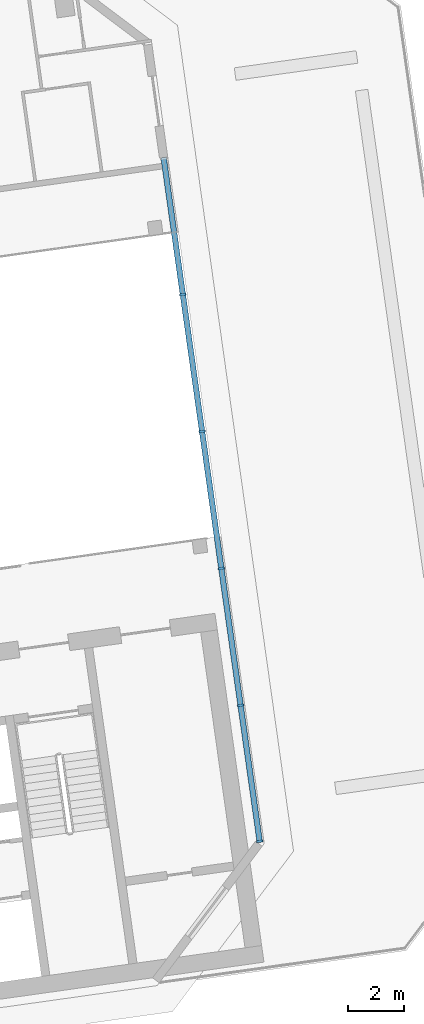
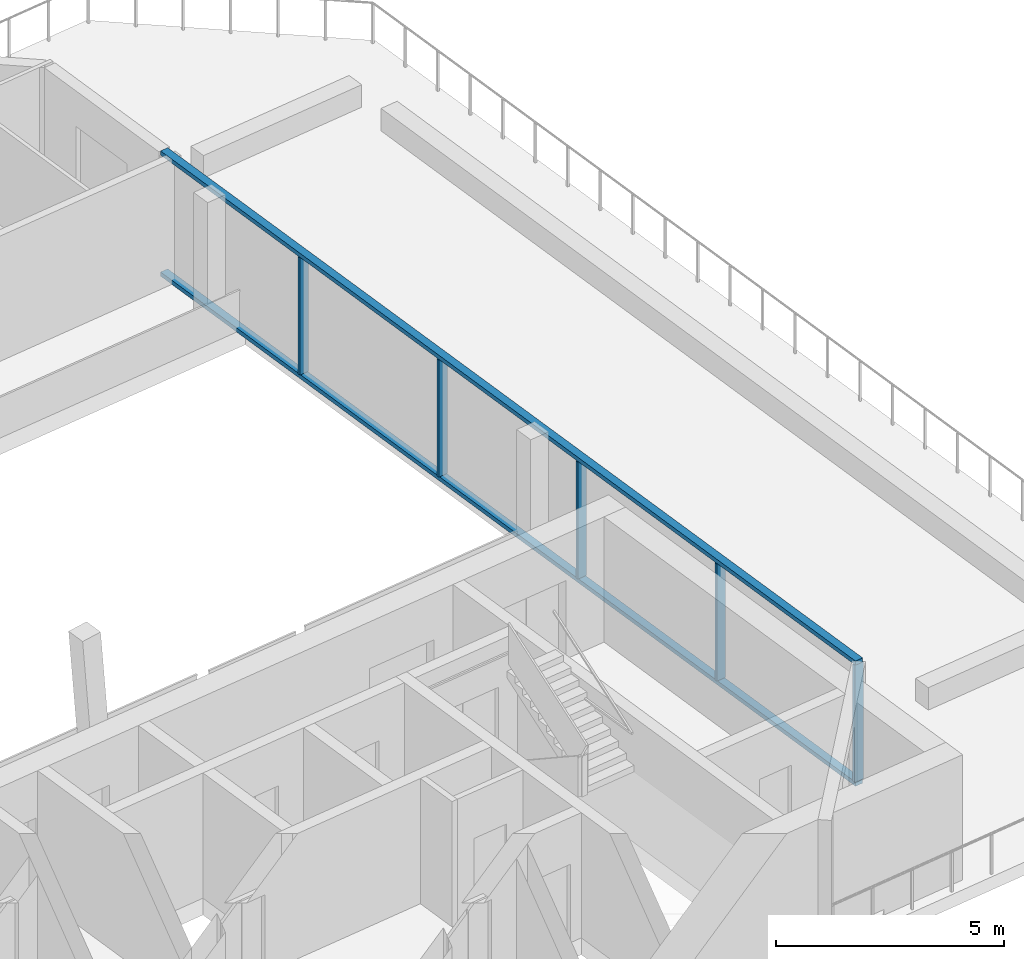
# One storey, part 6 of 17: 7 members, 1 element without a shape of its own.
"""IFC4 building model written with IfcOpenShell, lengths in metres."""

from ifc_helpers import new_model, si_unit, direction, frame, origin, origin_2d, place, context, subcontext, project, spatial, rectangle, extrude, material, material_profile, profile_set, type_object, element, aggregate, save


model = new_model("IFC4")

# Units and contexts
model_context = context("Model", 3, precision=1e-05, world=origin(), true_north=direction((0.0, 1.0)))
body_context = subcontext(model_context, "Body", "Model", "MODEL_VIEW")
ifc_project = project(units=[si_unit("LENGTHUNIT", "METRE"), si_unit("AREAUNIT", "SQUARE_METRE"), si_unit("VOLUMEUNIT", "CUBIC_METRE"), si_unit("PLANEANGLEUNIT", "RADIAN"), si_unit("MASSUNIT", "GRAM", prefix="KILO")], contexts=[model_context])

# Site, building, storey
site_placement = place(None, origin())
site = spatial("IfcSite", under=ifc_project, at=site_placement, CompositionType="ELEMENT")
building_placement = place(site_placement, origin())
building = spatial("IfcBuilding", under=site, at=building_placement, Name="Mirante Cascada Hotel Towers", CompositionType="ELEMENT")
storey_placement = place(building_placement, frame((0.0, 0.0, 250.8)))
storey = spatial("IfcBuildingStorey", under=building, at=storey_placement, Name="L60", CompositionType="ELEMENT", Elevation=250.8)

# Curtain wall, members
ifc_material_1 = material(Name="Aluminium mullion and transom frame with clear laminated glass", Category="aluminium")
curtain_wall_type = type_object("IfcCurtainWallType", Name="Sky garden curtain wall ECW4", PredefinedType="NOTDEFINED", material=ifc_material_1)
curtain_wall_placement = place(storey_placement, origin())
curtain_wall = element("IfcCurtainWall", 1, at=curtain_wall_placement, inside=storey, type_object=curtain_wall_type, Name="Sky garden wall T2 L60 run 1", PredefinedType="NOTDEFINED")
ifc_material_2 = material(Name="Anodised aluminium extrusion", Category="aluminium")
ifc_material_profile_1 = material_profile(ifc_material_2, rectangle(XDim=0.24, YDim=0.075, at=origin_2d()), Name="ECW4 MULLION 75x240")
ifc_profile_set_1 = profile_set([ifc_material_profile_1], Name="Anodised aluminium extrusion")
member_type_1 = type_object("IfcMemberType", Name="ECW4 mullion 75x240", PredefinedType="MULLION", material=ifc_profile_set_1)
member_1_placement = place(storey_placement, frame((58.5928, -12.5234, 0.11), z_axis=(0.0, 0.0, 1.0), x_axis=(-0.9902681, -0.1391731, 0.0)))
member_1 = element("IfcMember", 2, at=member_1_placement, type_object=member_type_1, Name="ECW4 mullion 1", PredefinedType="MULLION", context=body_context, shape_type="SweptSolid", body=[
    extrude(rectangle(XDim=0.24, YDim=0.075, at=origin_2d()), origin(), (0.0, 0.0, 1.0), 3.13),
])
member_2_placement = place(storey_placement, frame((57.9095, -7.6611, 0.11), z_axis=(0.0, 0.0, 1.0), x_axis=(-0.9902681, -0.1391731, 0.0)))
member_2 = element("IfcMember", 3, at=member_2_placement, type_object=member_type_1, Name="ECW4 mullion 2", PredefinedType="MULLION", context=body_context, shape_type="SweptSolid", body=[
    extrude(rectangle(XDim=0.24, YDim=0.075, at=origin_2d()), origin(), (0.0, 0.0, 1.0), 3.13),
])
member_3_placement = place(storey_placement, frame((57.2209, -2.7617, 0.11), z_axis=(0.0, 0.0, 1.0), x_axis=(-0.9902681, -0.1391731, 0.0)))
member_3 = element("IfcMember", 4, at=member_3_placement, type_object=member_type_1, Name="ECW4 mullion 3", PredefinedType="MULLION", context=body_context, shape_type="SweptSolid", body=[
    extrude(rectangle(XDim=0.24, YDim=0.075, at=origin_2d()), origin(), (0.0, 0.0, 1.0), 3.13),
])
member_4_placement = place(storey_placement, frame((56.5324, 2.1377, 0.11), z_axis=(0.0, 0.0, 1.0), x_axis=(-0.9902681, -0.1391731, 0.0)))
member_4 = element("IfcMember", 5, at=member_4_placement, type_object=member_type_1, Name="ECW4 mullion 4", PredefinedType="MULLION", context=body_context, shape_type="SweptSolid", body=[
    extrude(rectangle(XDim=0.24, YDim=0.075, at=origin_2d()), origin(), (0.0, 0.0, 1.0), 3.13),
])
member_5_placement = place(storey_placement, frame((55.8438, 7.0371, 0.11), z_axis=(0.0, 0.0, 1.0), x_axis=(-0.9902681, -0.1391731, 0.0)))
member_5 = element("IfcMember", 6, at=member_5_placement, type_object=member_type_1, Name="ECW4 mullion 5", PredefinedType="MULLION", context=body_context, shape_type="SweptSolid", body=[
    extrude(rectangle(XDim=0.24, YDim=0.075, at=origin_2d()), origin(), (0.0, 0.0, 1.0), 3.13),
])
ifc_material_3 = material(Name="Anodised aluminium extrusion", Category="aluminium")
ifc_material_profile_2 = material_profile(ifc_material_3, rectangle(XDim=0.2, YDim=0.11, at=origin_2d()), Name="ECW4 TRANSOM 110x200")
ifc_profile_set_2 = profile_set([ifc_material_profile_2], Name="Anodised aluminium extrusion")
member_type_2 = type_object("IfcMemberType", Name="ECW4 transom 110x200", PredefinedType="USERDEFINED", material=ifc_profile_set_2)
member_6_placement = place(storey_placement, frame((58.5981, -12.5606, 0.055), z_axis=(-0.1391748, 0.9902678, 0.0), x_axis=(-0.9902678, -0.1391748, 0.0)))
member_6 = element("IfcMember", 7, at=member_6_placement, type_object=member_type_2, Name="ECW4 sill transom", ObjectType="TRANSOM", PredefinedType="USERDEFINED", context=body_context, shape_type="SweptSolid", body=[
    extrude(rectangle(XDim=0.2, YDim=0.11, at=origin_2d()), origin(), (0.0, 0.0, 1.0), 24.738),
])
member_7_placement = place(storey_placement, frame((58.5981, -12.5606, 3.295), z_axis=(-0.1391748, 0.9902678, 0.0), x_axis=(-0.9902678, -0.1391748, 0.0)))
member_7 = element("IfcMember", 8, at=member_7_placement, type_object=member_type_2, Name="ECW4 head transom", ObjectType="TRANSOM", PredefinedType="USERDEFINED", context=body_context, shape_type="SweptSolid", body=[
    extrude(rectangle(XDim=0.2, YDim=0.11, at=origin_2d()), origin(), (0.0, 0.0, 1.0), 24.738),
])
aggregate(curtain_wall, [member_6, member_7, member_1, member_2, member_3, member_4, member_5])

save(model, "model.ifc")
